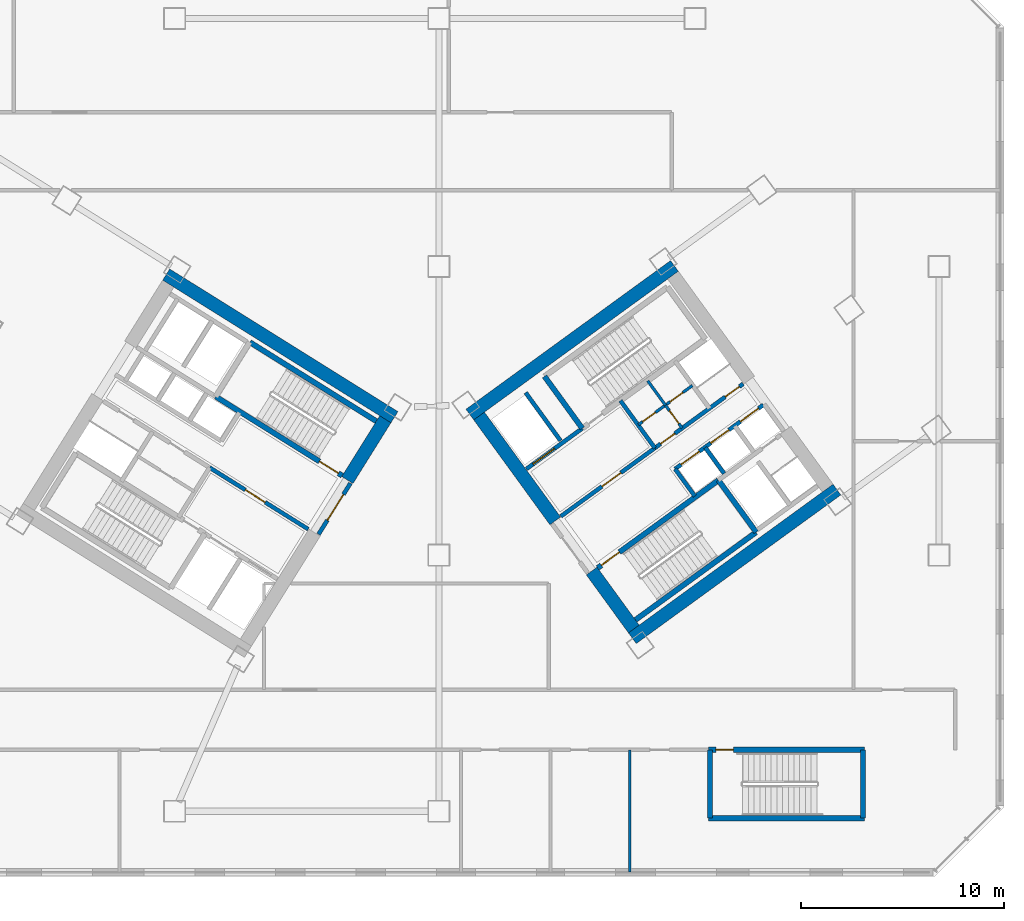
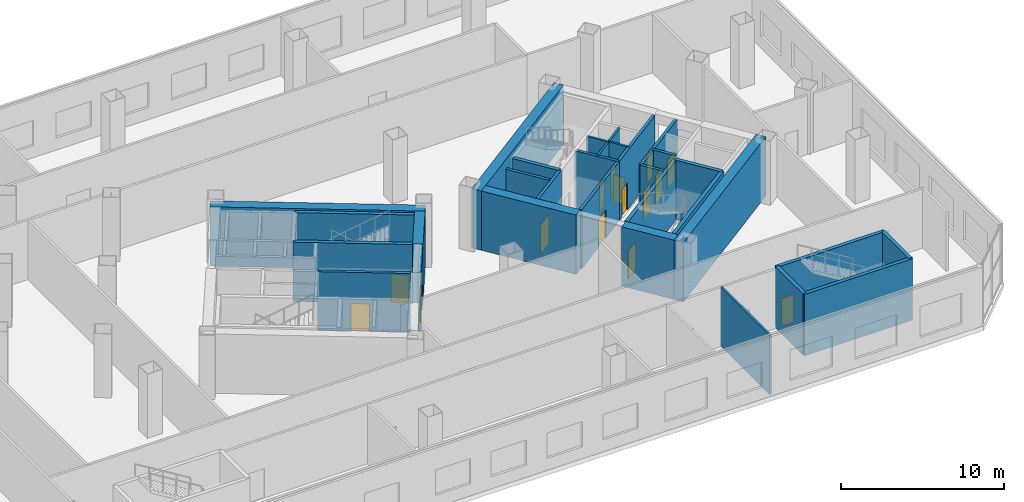
# One storey, part 12 of 22: 30 walls, 15 doors, 15 openings.
"""IFC4 building model written with IfcOpenShell, lengths in metres."""

from ifc_helpers import new_model, si_unit, direction, frame, frame_2d, origin, place, context, subcontext, project, spatial, rectangle, extrude, source, transform, mapped, material, layer, layer_set, type_object, element, fill, save


model = new_model("IFC4")

# Units and contexts
model_context = context("Model", 3, precision=1e-05, world=origin(), true_north=direction((0.0, 1.0)))
body_context = subcontext(model_context, "Body", "Model", "MODEL_VIEW")
ifc_project = project(units=[si_unit("LENGTHUNIT", "METRE"), si_unit("AREAUNIT", "SQUARE_METRE"), si_unit("VOLUMEUNIT", "CUBIC_METRE"), si_unit("PLANEANGLEUNIT", "RADIAN"), si_unit("MASSUNIT", "GRAM", prefix="KILO")], contexts=[model_context])

# Site, building, storey
site_placement = place(None, origin())
site = spatial("IfcSite", under=ifc_project, at=site_placement, CompositionType="ELEMENT")
building_placement = place(site_placement, origin())
building = spatial("IfcBuilding", under=site, at=building_placement, Name="Tlacorven Tower", CompositionType="ELEMENT")
storey_placement = place(building_placement, frame((0.0, 0.0, 5.39990234375)))
storey = spatial("IfcBuildingStorey", under=building, at=storey_placement, Name="L01", CompositionType="ELEMENT", Elevation=5.39990234375)

# Walls
ifc_material_1 = material(Name="Concrete C60/75", Category="concrete")
ifc_layer_1 = layer(ifc_material_1, 0.64990234375)
ifc_layer_set_1 = layer_set([ifc_layer_1], Name="Concrete C60/75")
wall_type_1 = type_object("IfcWallType", Name="WL-COR-650", PredefinedType="SHEAR", material=ifc_layer_set_1)
wall_1_placement = place(storey_placement, frame((40.615478515625, 23.9833984375, 0.0), z_axis=(0.0, 0.0, 1.0), x_axis=(-0.848045953968, 0.529922692436, 0.0)))
element("IfcWall", 1, at=wall_1_placement, inside=storey, type_object=wall_type_1, Name="L01 W core shear wall S1", PredefinedType="SHEAR", context=body_context, shape_type="SweptSolid", body=[
    extrude(rectangle(XDim=13.239990234375, YDim=0.64990234375, at=frame_2d((6.6201171875, 0.0))), origin(), (0.0, 0.0, 1.0), 4.4501953125),
])
wall_2_placement = place(storey_placement, frame((40.167724609375, 23.880126953125, 0.0), z_axis=(0.0, 0.0, 1.0), x_axis=(-0.529893103397, -0.8480644427, 0.0)))
element("IfcWall", 2, at=wall_2_placement, inside=storey, type_object=wall_type_1, Name="L01 W core end wall E1.1", PredefinedType="SHEAR", context=body_context, shape_type="SweptSolid", body=[
    extrude(rectangle(XDim=3.525146484375, YDim=0.64990234375, at=frame_2d((1.7626953125, 0.0))), origin(), (0.0, 0.0, 1.0), 4.4501953125),
])
wall_3_placement = place(storey_placement, frame((52.318359375, 13.1103515625, 0.0), z_axis=(0.0, 0.0, 1.0), x_axis=(0.809019445368, 0.587781878776, 0.0)))
element("IfcWall", 3, at=wall_3_placement, inside=storey, type_object=wall_type_1, Name="L01 E core shear wall S1", PredefinedType="SHEAR", context=body_context, shape_type="SweptSolid", body=[
    extrude(rectangle(XDim=12.43994140625, YDim=0.64990234375, at=frame_2d((6.219970703125, 0.0))), origin(), (0.0, 0.0, 1.0), 4.4501953125),
])
wall_4_placement = place(storey_placement, frame((44.32470703125, 24.113037109375, 0.0), z_axis=(0.0, 0.0, 1.0), x_axis=(0.809012664862, 0.58779121131, 0.0)))
element("IfcWall", 4, at=wall_4_placement, inside=storey, type_object=wall_type_1, Name="L01 E core shear wall S2", PredefinedType="SHEAR", context=body_context, shape_type="SweptSolid", body=[
    extrude(rectangle(XDim=12.439697265625, YDim=0.64990234375, at=frame_2d((6.2197265625, 0.0))), origin(), (0.0, 0.0, 1.0), 4.4501953125),
])
wall_5_placement = place(storey_placement, frame((52.390380859375, 13.564208984375, 0.0), z_axis=(0.0, 0.0, 1.0), x_axis=(-0.58779688989, 0.809008539037, 0.0)))
element("IfcWall", 5, at=wall_5_placement, inside=storey, type_object=wall_type_1, Name="L01 E core end wall E1.1", PredefinedType="SHEAR", context=body_context, shape_type="SweptSolid", body=[
    extrude(rectangle(XDim=3.525146484375, YDim=0.64990234375, at=frame_2d((1.7626953125, 0.0))), origin(), (0.0, 0.0, 1.0), 4.4501953125),
])
wall_6_placement = place(storey_placement, frame((48.525634765625, 18.883544921875, 0.0), z_axis=(0.0, 0.0, 1.0), x_axis=(-0.58777996584, 0.809020835181, 0.0)))
element("IfcWall", 6, at=wall_6_placement, inside=storey, type_object=wall_type_1, Name="L01 E core end wall E1.2", PredefinedType="SHEAR", context=body_context, shape_type="SweptSolid", body=[
    extrude(rectangle(XDim=6.375, YDim=0.64990234375, at=frame_2d((3.1875, 0.0))), origin(), (0.0, 0.0, 1.0), 4.4501953125),
])

# Wall, opening, door
ifc_material_2 = material(Name="Moisture-resistant gypsum plumbing wall", Category="gypsum")
ifc_layer_2 = layer(ifc_material_2, 0.139892578125)
ifc_layer_set_2 = layer_set([ifc_layer_2], Name="Moisture-resistant gypsum plumbing wall")
wall_type_2 = type_object("IfcWallType", Name="WL-PLM-140", PredefinedType="PLUMBINGWALL", material=ifc_layer_set_2)
wall_7_placement = place(storey_placement, frame((54.767578125, 23.443359375, 0.0), z_axis=(0.0, 0.0, 1.0), x_axis=(-0.587736077749, 0.809052719489, 0.0)))
wall_7 = element("IfcWall", 7, at=wall_7_placement, inside=storey, type_object=wall_type_2, Name="L01 partition 52", PredefinedType="PLUMBINGWALL", context=body_context, shape_type="SweptSolid", body=[
    extrude(rectangle(XDim=1.39990234375, YDim=0.139892578125, at=frame_2d((0.699951171875, 0.0))), origin(), (0.0, 0.0, 1.0), 4.440185546875),
])
opening_1_placement = place(wall_7_placement, frame((0.280029296875, 0.0, 0.0)))
opening_1 = element("IfcOpeningElement", 8, at=opening_1_placement, cuts=wall_7, Name="Opening D22", PredefinedType="OPENING", context=body_context, shape_type="SweptSolid", body=[
    extrude(rectangle(XDim=0.780029296875, YDim=2.050048828125, at=frame_2d((0.39013671875, 1.02490234375))), frame((0.0, 0.080078125, 0.0), z_axis=(0.0, -1.0, 0.0), x_axis=(1.0, 0.0, 0.0)), (0.0, 0.0, 1.0), 0.159912109375),
])
ifc_material_3 = material(Name="Powder-coated aluminium and timber door", Category="wood")
door_type_1 = type_object("IfcDoorType", Name="DR-INT-WET-0780", OperationType="NOTDEFINED", PredefinedType="DOOR", material=ifc_material_3)
shared_shape_1 = source(origin(), body_context, "Body", "SweptSolid", [
    extrude(rectangle(XDim=0.780029296875, YDim=2.050048828125, at=frame_2d((0.39013671875, 1.02490234375))), frame((0.0, 0.02490234375, 0.0), z_axis=(0.0, -1.0, 0.0), x_axis=(1.0, 0.0, 0.0)), (0.0, 0.0, 1.0), 0.050048828125),
])
door_1_placement = place(opening_1_placement, origin())
door_1 = element("IfcDoor", 9, at=door_1_placement, inside=storey, type_object=door_type_1, Name="L01 door 019", OperationType="SINGLE_SWING_LEFT", OverallHeight=2.050048828125, OverallWidth=0.780029296875, PredefinedType="DOOR", context=body_context, shape_type="MappedRepresentation", body=[
    mapped(shared_shape_1, transform((0.0, 0.0, 0.0), scale=1.0)),
])
fill(opening_1, door_1)

# Wall
wall_8_placement = place(storey_placement, frame((53.94482421875, 24.575927734375, 0.0), z_axis=(0.0, 0.0, 1.0), x_axis=(-0.587897037186, 0.808935766095, 0.0)))
element("IfcWall", 10, at=wall_8_placement, inside=storey, type_object=wall_type_2, Name="L01 partition 53", PredefinedType="PLUMBINGWALL", context=body_context, shape_type="SweptSolid", body=[
    extrude(rectangle(XDim=1.47998046875, YDim=0.139892578125, at=frame_2d((0.739990234375, 0.0))), origin(), (0.0, 0.0, 1.0), 4.440185546875),
])

# Wall, openings, doors
wall_9_placement = place(storey_placement, frame((52.617919921875, 23.612060546875, 0.0), z_axis=(0.0, 0.0, 1.0), x_axis=(0.809009587469, 0.587795446889, 0.0)))
wall_9 = element("IfcWall", 11, at=wall_9_placement, inside=storey, type_object=wall_type_2, Name="L01 partition 54", PredefinedType="PLUMBINGWALL", context=body_context, shape_type="SweptSolid", body=[
    extrude(rectangle(XDim=3.280029296875, YDim=0.139892578125, at=frame_2d((1.64013671875, 0.0))), origin(), (0.0, 0.0, 1.0), 4.440185546875),
])
opening_2_placement = place(wall_9_placement, frame((0.25, 0.0, 0.0)))
opening_2 = element("IfcOpeningElement", 12, at=opening_2_placement, cuts=wall_9, Name="Opening D22", PredefinedType="OPENING", context=body_context, shape_type="SweptSolid", body=[
    extrude(rectangle(XDim=0.780029296875, YDim=2.050048828125, at=frame_2d((0.39013671875, 1.02490234375))), frame((0.0, 0.080078125, 0.0), z_axis=(0.0, -1.0, 0.0), x_axis=(1.0, 0.0, 0.0)), (0.0, 0.0, 1.0), 0.159912109375),
])
opening_3_placement = place(wall_9_placement, frame((1.919921875, 0.0, 0.0)))
opening_3 = element("IfcOpeningElement", 13, at=opening_3_placement, cuts=wall_9, Name="Opening D22", PredefinedType="OPENING", context=body_context, shape_type="SweptSolid", body=[
    extrude(rectangle(XDim=0.780029296875, YDim=2.050048828125, at=frame_2d((0.39013671875, 1.02490234375))), frame((0.0, 0.080078125, 0.0), z_axis=(0.0, -1.0, 0.0), x_axis=(1.0, 0.0, 0.0)), (0.0, 0.0, 1.0), 0.159912109375),
])
door_2_placement = place(opening_2_placement, origin())
door_2 = element("IfcDoor", 14, at=door_2_placement, inside=storey, type_object=door_type_1, Name="L01 door 020", OperationType="SINGLE_SWING_RIGHT", OverallHeight=2.050048828125, OverallWidth=0.780029296875, PredefinedType="DOOR", context=body_context, shape_type="MappedRepresentation", body=[
    mapped(shared_shape_1, transform((0.0, 0.0, 0.0), scale=1.0)),
])
fill(opening_2, door_2)
door_3_placement = place(opening_3_placement, origin())
door_3 = element("IfcDoor", 15, at=door_3_placement, inside=storey, type_object=door_type_1, Name="L01 door 021", OperationType="SINGLE_SWING_LEFT", OverallHeight=2.050048828125, OverallWidth=0.780029296875, PredefinedType="DOOR", context=body_context, shape_type="MappedRepresentation", body=[
    mapped(shared_shape_1, transform((0.0, 0.0, 0.0), scale=1.0)),
])
fill(opening_3, door_3)

# Wall
wall_10_placement = place(storey_placement, frame((52.18994140625, 1.60009765625, 0.0), z_axis=(0.0, 0.0, 1.0), x_axis=(0.0, 1.0, 0.0)))
element("IfcWall", 16, at=wall_10_placement, inside=storey, type_object=wall_type_2, Name="L01 partition 73", PredefinedType="PLUMBINGWALL", context=body_context, shape_type="SweptSolid", body=[
    extrude(rectangle(XDim=6.02001953125, YDim=0.139892578125, at=frame_2d((3.010009765625, 0.0))), origin(), (0.0, 0.0, 1.0), 4.440185546875),
])

# Wall, opening, door
ifc_material_4 = material(Name="Concrete C40/50", Category="concrete")
ifc_layer_3 = layer(ifc_material_4, 0.199951171875)
ifc_layer_set_3 = layer_set([ifc_layer_3], Name="Concrete C40/50")
wall_type_3 = type_object("IfcWallType", Name="WL-SHF-200", PredefinedType="STANDARD", material=ifc_layer_set_3)
wall_11_placement = place(storey_placement, frame((36.374267578125, 18.4736328125, 0.0), z_axis=(0.0, 0.0, 1.0), x_axis=(-0.848051071577, 0.529914502535, 0.0)))
wall_11 = element("IfcWall", 17, at=wall_11_placement, inside=storey, type_object=wall_type_3, Name="L01 Core W Smoke Lobby Wall", PredefinedType="STANDARD", context=body_context, shape_type="SweptSolid", body=[
    extrude(rectangle(XDim=5.718017578125, YDim=0.199951171875, at=frame_2d((2.85888671875, 0.0))), origin(), (0.0, 0.0, 1.0), 4.440185546875),
])
opening_4_placement = place(wall_11_placement, frame((2.498046875, 0.0, 0.0)))
opening_4 = element("IfcOpeningElement", 18, at=opening_4_placement, cuts=wall_11, Name="Opening D09", PredefinedType="OPENING", context=body_context, shape_type="SweptSolid", body=[
    extrude(rectangle(XDim=1.14990234375, YDim=2.10009765625, at=frame_2d((0.574951171875, 1.050048828125))), frame((0.0, 0.10986328125, 0.0), z_axis=(0.0, -1.0, 0.0), x_axis=(1.0, 0.0, 0.0)), (0.0, 0.0, 1.0), 0.219970703125),
])
ifc_material_5 = material(Name="Fire-rated steel door assembly", Category="steel")
door_type_2 = type_object("IfcDoorType", Name="DR-FFL-FD60-1150", OperationType="NOTDEFINED", PredefinedType="DOOR", material=ifc_material_5)
shared_shape_2 = source(origin(), body_context, "Body", "SweptSolid", [
    extrude(rectangle(XDim=1.14990234375, YDim=2.10009765625, at=frame_2d((0.574951171875, 1.050048828125))), frame((0.0, 0.02490234375, 0.0), z_axis=(0.0, -1.0, 0.0), x_axis=(1.0, 0.0, 0.0)), (0.0, 0.0, 1.0), 0.050048828125),
])
door_4_placement = place(opening_4_placement, origin())
door_4 = element("IfcDoor", 19, at=door_4_placement, inside=storey, type_object=door_type_2, Name="L01 Firefighting Lobby W Fire Door", OperationType="SINGLE_SWING_LEFT", OverallHeight=2.10009765625, OverallWidth=1.14990234375, PredefinedType="DOOR", context=body_context, shape_type="MappedRepresentation", body=[
    mapped(shared_shape_2, transform((0.0, 0.0, 0.0), scale=1.0)),
])
fill(opening_4, door_4)

wall_12_placement = place(storey_placement, frame((47.10595703125, 21.4365234375, 0.0), z_axis=(0.0, 0.0, 1.0), x_axis=(0.809012514015, 0.58779141893, 0.0)))
wall_12 = element("IfcWall", 20, at=wall_12_placement, inside=storey, type_object=wall_type_3, Name="L01 Core E Firefighting Lift Shaft Front Wall", PredefinedType="STANDARD", context=body_context, shape_type="SweptSolid", body=[
    extrude(rectangle(XDim=3.39794921875, YDim=0.199951171875, at=frame_2d((1.698974609375, 0.0))), origin(), (0.0, 0.0, 1.0), 4.440185546875),
])
opening_5_placement = place(wall_12_placement, frame((0.407958984375, 0.0, 0.0)))
opening_5 = element("IfcOpeningElement", 21, at=opening_5_placement, cuts=wall_12, Name="Opening LD03", PredefinedType="OPENING", context=body_context, shape_type="SweptSolid", body=[
    extrude(rectangle(XDim=1.300048828125, YDim=2.199951171875, at=frame_2d((0.64990234375, 1.10009765625))), frame((0.0, 0.10986328125, 0.0), z_axis=(0.0, -1.0, 0.0), x_axis=(1.0, 0.0, 0.0)), (0.0, 0.0, 1.0), 0.219970703125),
])
door_type_3 = type_object("IfcDoorType", Name="DR-LFT-SLID-1300", OperationType="DOUBLE_DOOR_SLIDING", PredefinedType="DOOR", material=ifc_material_5)
shared_shape_3 = source(origin(), body_context, "Body", "SweptSolid", [
    extrude(rectangle(XDim=1.300048828125, YDim=2.199951171875, at=frame_2d((0.64990234375, 1.10009765625))), frame((0.0, 0.02490234375, 0.0), z_axis=(0.0, -1.0, 0.0), x_axis=(1.0, 0.0, 0.0)), (0.0, 0.0, 1.0), 0.050048828125),
])
door_5_placement = place(opening_5_placement, origin())
door_5 = element("IfcDoor", 22, at=door_5_placement, inside=storey, type_object=door_type_3, Name="L01 Lift FFL-E1 Sliding Landing Door", OperationType="DOUBLE_DOOR_SLIDING", OverallHeight=2.199951171875, OverallWidth=1.300048828125, PredefinedType="DOOR", context=body_context, shape_type="MappedRepresentation", body=[
    mapped(shared_shape_3, transform((0.0, 0.0, 0.0), scale=1.0)),
])
fill(opening_5, door_5)

wall_13_placement = place(storey_placement, frame((48.798828125, 19.106689453125, 0.0), z_axis=(0.0, 0.0, 1.0), x_axis=(0.809012959416, 0.587790805897, 0.0)))
wall_13 = element("IfcWall", 23, at=wall_13_placement, inside=storey, type_object=wall_type_3, Name="L01 Core E Smoke Lobby Wall", PredefinedType="STANDARD", context=body_context, shape_type="SweptSolid", body=[
    extrude(rectangle(XDim=5.7177734375, YDim=0.199951171875, at=frame_2d((2.85888671875, 0.0))), origin(), (0.0, 0.0, 1.0), 4.440185546875),
])
opening_6_placement = place(wall_13_placement, frame((2.498046875, 0.0, 0.0)))
opening_6 = element("IfcOpeningElement", 24, at=opening_6_placement, cuts=wall_13, Name="Opening D09", PredefinedType="OPENING", context=body_context, shape_type="SweptSolid", body=[
    extrude(rectangle(XDim=1.14990234375, YDim=2.10009765625, at=frame_2d((0.574951171875, 1.050048828125))), frame((0.0, 0.10986328125, 0.0), z_axis=(0.0, -1.0, 0.0), x_axis=(1.0, 0.0, 0.0)), (0.0, 0.0, 1.0), 0.219970703125),
])
door_6_placement = place(opening_6_placement, origin())
door_6 = element("IfcDoor", 25, at=door_6_placement, inside=storey, type_object=door_type_2, Name="L01 Firefighting Lobby E Fire Door", OperationType="SINGLE_SWING_LEFT", OverallHeight=2.10009765625, OverallWidth=1.14990234375, PredefinedType="DOOR", context=body_context, shape_type="MappedRepresentation", body=[
    mapped(shared_shape_2, transform((0.0, 0.0, 0.0), scale=1.0)),
])
fill(opening_6, door_6)

# Wall, openings, doors
wall_14_placement = place(storey_placement, frame((54.421142578125, 21.436279296875, 0.0), z_axis=(0.0, 0.0, 1.0), x_axis=(0.809013710463, 0.587789772183, 0.0)))
wall_14 = element("IfcWall", 26, at=wall_14_placement, inside=storey, type_object=wall_type_3, Name="L01 partition 37", PredefinedType="STANDARD", context=body_context, shape_type="SweptSolid", body=[
    extrude(rectangle(XDim=5.360107421875, YDim=0.199951171875, at=frame_2d((2.68017578125, 0.0))), origin(), (0.0, 0.0, 1.0), 4.440185546875),
])
opening_7_placement = place(wall_14_placement, frame((0.3701171875, 0.0, 0.0)))
opening_7 = element("IfcOpeningElement", 27, at=opening_7_placement, cuts=wall_14, Name="Opening LD01", PredefinedType="OPENING", context=body_context, shape_type="SweptSolid", body=[
    extrude(rectangle(XDim=1.10009765625, YDim=2.14990234375, at=frame_2d((0.550048828125, 1.074951171875))), frame((0.0, 0.10986328125, 0.0), z_axis=(0.0, -1.0, 0.0), x_axis=(1.0, 0.0, 0.0)), (0.0, 0.0, 1.0), 0.219970703125),
])
opening_8_placement = place(wall_14_placement, frame((2.169921875, 0.0, 0.0)))
opening_8 = element("IfcOpeningElement", 28, at=opening_8_placement, cuts=wall_14, Name="Opening LD01", PredefinedType="OPENING", context=body_context, shape_type="SweptSolid", body=[
    extrude(rectangle(XDim=1.10009765625, YDim=2.14990234375, at=frame_2d((0.550048828125, 1.074951171875))), frame((0.0, 0.10986328125, 0.0), z_axis=(0.0, -1.0, 0.0), x_axis=(1.0, 0.0, 0.0)), (0.0, 0.0, 1.0), 0.219970703125),
])
opening_9_placement = place(wall_14_placement, frame((3.969970703125, 0.0, 0.0)))
opening_9 = element("IfcOpeningElement", 29, at=opening_9_placement, cuts=wall_14, Name="Opening LD01", PredefinedType="OPENING", context=body_context, shape_type="SweptSolid", body=[
    extrude(rectangle(XDim=1.10009765625, YDim=2.14990234375, at=frame_2d((0.550048828125, 1.074951171875))), frame((0.0, 0.10986328125, 0.0), z_axis=(0.0, -1.0, 0.0), x_axis=(1.0, 0.0, 0.0)), (0.0, 0.0, 1.0), 0.219970703125),
])
door_type_4 = type_object("IfcDoorType", Name="DR-LFT-SLID-1100", OperationType="DOUBLE_DOOR_SLIDING", PredefinedType="DOOR", material=ifc_material_5)
shared_shape_4 = source(origin(), body_context, "Body", "SweptSolid", [
    extrude(rectangle(XDim=1.10009765625, YDim=2.14990234375, at=frame_2d((0.550048828125, 1.074951171875))), frame((0.0, 0.02490234375, 0.0), z_axis=(0.0, -1.0, 0.0), x_axis=(1.0, 0.0, 0.0)), (0.0, 0.0, 1.0), 0.050048828125),
])
door_7_placement = place(opening_7_placement, origin())
door_7 = element("IfcDoor", 30, at=door_7_placement, inside=storey, type_object=door_type_4, Name="L01 Lift PL-L1 Sliding Landing Door", OperationType="DOUBLE_DOOR_SLIDING", OverallHeight=2.14990234375, OverallWidth=1.10009765625, PredefinedType="DOOR", context=body_context, shape_type="MappedRepresentation", body=[
    mapped(shared_shape_4, transform((0.0, 0.0, 0.0), scale=1.0)),
])
fill(opening_7, door_7)
door_8_placement = place(opening_8_placement, origin())
door_8 = element("IfcDoor", 31, at=door_8_placement, inside=storey, type_object=door_type_4, Name="L01 Lift PL-L2 Sliding Landing Door", OperationType="DOUBLE_DOOR_SLIDING", OverallHeight=2.14990234375, OverallWidth=1.10009765625, PredefinedType="DOOR", context=body_context, shape_type="MappedRepresentation", body=[
    mapped(shared_shape_4, transform((0.0, 0.0, 0.0), scale=1.0)),
])
fill(opening_8, door_8)
door_9_placement = place(opening_9_placement, origin())
door_9 = element("IfcDoor", 32, at=door_9_placement, inside=storey, type_object=door_type_4, Name="L01 Lift PL-L3 Sliding Landing Door", OperationType="DOUBLE_DOOR_SLIDING", OverallHeight=2.14990234375, OverallWidth=1.10009765625, PredefinedType="DOOR", context=body_context, shape_type="MappedRepresentation", body=[
    mapped(shared_shape_4, transform((0.0, 0.0, 0.0), scale=1.0)),
])
fill(opening_9, door_9)

# Walls
wall_15_placement = place(storey_placement, frame((55.390869140625, 20.1015625, 0.0), z_axis=(0.0, 0.0, 1.0), x_axis=(-0.58778447739, 0.809017557374, 0.0)))
element("IfcWall", 33, at=wall_15_placement, inside=storey, type_object=wall_type_3, Name="L01 partition 38", PredefinedType="STANDARD", context=body_context, shape_type="SweptSolid", body=[
    extrude(rectangle(XDim=1.64990234375, YDim=0.199951171875, at=frame_2d((0.824951171875, 0.0))), origin(), (0.0, 0.0, 1.0), 4.440185546875),
])
wall_16_placement = place(storey_placement, frame((48.78564453125, 22.830078125, 0.0), z_axis=(0.0, 0.0, 1.0), x_axis=(-0.587783856777, 0.809018008275, 0.0)))
element("IfcWall", 34, at=wall_16_placement, inside=storey, type_object=wall_type_3, Name="L01 partition 39", PredefinedType="STANDARD", context=body_context, shape_type="SweptSolid", body=[
    extrude(rectangle(XDim=2.919921875, YDim=0.199951171875, at=frame_2d((1.4599609375, 0.0))), origin(), (0.0, 0.0, 1.0), 4.440185546875),
])
wall_17_placement = place(storey_placement, frame((56.833984375, 21.211669921875, 0.0), z_axis=(0.0, 0.0, 1.0), x_axis=(-0.58776738483, 0.809029975545, 0.0)))
element("IfcWall", 35, at=wall_17_placement, inside=storey, type_object=wall_type_3, Name="L01 partition 40", PredefinedType="STANDARD", context=body_context, shape_type="SweptSolid", body=[
    extrude(rectangle(XDim=1.580078125, YDim=0.199951171875, at=frame_2d((0.7900390625, 0.0))), origin(), (0.0, 0.0, 1.0), 4.440185546875),
])
wall_18_placement = place(storey_placement, frame((53.424560546875, 22.467529296875, 0.0), z_axis=(0.0, 0.0, 1.0), x_axis=(-0.5877230039, 0.809062216821, 0.0)))
element("IfcWall", 36, at=wall_18_placement, inside=storey, type_object=wall_type_3, Name="L01 partition 47", PredefinedType="STANDARD", context=body_context, shape_type="SweptSolid", body=[
    extrude(rectangle(XDim=2.8798828125, YDim=0.199951171875, at=frame_2d((1.43994140625, 0.0))), origin(), (0.0, 0.0, 1.0), 4.440185546875),
])

# Wall, openings, doors
wall_19_placement = place(storey_placement, frame((53.424560546875, 22.467529296875, 0.0), z_axis=(0.0, 0.0, 1.0), x_axis=(0.80902705128, 0.587771409902, 0.0)))
wall_19 = element("IfcWall", 37, at=wall_19_placement, inside=storey, type_object=wall_type_3, Name="L01 Core E North Service Wall", PredefinedType="STANDARD", context=body_context, shape_type="SweptSolid", body=[
    extrude(rectangle(XDim=5.3681640625, YDim=0.199951171875, at=frame_2d((2.68408203125, 0.0))), origin(), (0.0, 0.0, 1.0), 4.440185546875),
])
opening_10_placement = place(wall_19_placement, frame((4.280029296875, 0.0, 0.0)))
opening_10 = element("IfcOpeningElement", 38, at=opening_10_placement, cuts=wall_19, Name="Opening D19", PredefinedType="OPENING", context=body_context, shape_type="SweptSolid", body=[
    extrude(rectangle(XDim=0.860107421875, YDim=2.050048828125, at=frame_2d((0.43017578125, 1.02490234375))), frame((0.0, 0.10986328125, 0.0), z_axis=(0.0, -1.0, 0.0), x_axis=(1.0, 0.0, 0.0)), (0.0, 0.0, 1.0), 0.219970703125),
])
opening_11_placement = place(wall_19_placement, frame((0.35009765625, 0.0, 0.0)))
opening_11 = element("IfcOpeningElement", 39, at=opening_11_placement, cuts=wall_19, Name="Opening D19", PredefinedType="OPENING", context=body_context, shape_type="SweptSolid", body=[
    extrude(rectangle(XDim=0.860107421875, YDim=2.050048828125, at=frame_2d((0.43017578125, 1.02490234375))), frame((0.0, 0.10986328125, 0.0), z_axis=(0.0, -1.0, 0.0), x_axis=(1.0, 0.0, 0.0)), (0.0, 0.0, 1.0), 0.219970703125),
])
door_type_5 = type_object("IfcDoorType", Name="DR-RSR-FD60-0860", OperationType="NOTDEFINED", PredefinedType="DOOR", material=ifc_material_5)
shared_shape_5 = source(origin(), body_context, "Body", "SweptSolid", [
    extrude(rectangle(XDim=0.860107421875, YDim=2.050048828125, at=frame_2d((0.43017578125, 1.02490234375))), frame((0.0, 0.02490234375, 0.0), z_axis=(0.0, -1.0, 0.0), x_axis=(1.0, 0.0, 0.0)), (0.0, 0.0, 1.0), 0.050048828125),
])
door_10_placement = place(opening_10_placement, frame((0.860107421875, 0.0, 0.0), z_axis=(0.0, 0.0, 1.0), x_axis=(-1.0, 0.0, 0.0)))
door_10 = element("IfcDoor", 40, at=door_10_placement, inside=storey, type_object=door_type_5, Name="L01 Electrical Riser Access Door E", OperationType="SINGLE_SWING_LEFT", OverallHeight=2.050048828125, OverallWidth=0.860107421875, PredefinedType="DOOR", context=body_context, shape_type="MappedRepresentation", body=[
    mapped(shared_shape_5, transform((0.0, 0.0, 0.0), scale=1.0)),
])
fill(opening_10, door_10)
door_11_placement = place(opening_11_placement, frame((0.860107421875, 0.0, 0.0), z_axis=(0.0, 0.0, 1.0), x_axis=(-1.0, 0.0, 0.0)))
door_11 = element("IfcDoor", 41, at=door_11_placement, inside=storey, type_object=door_type_5, Name="L01 Cleaning Room Access Door E", OperationType="SINGLE_SWING_RIGHT", OverallHeight=2.050048828125, OverallWidth=0.860107421875, PredefinedType="DOOR", context=body_context, shape_type="MappedRepresentation", body=[
    mapped(shared_shape_5, transform((0.0, 0.0, 0.0), scale=1.0)),
])
fill(opening_11, door_11)

# Wall, opening, door
wall_20_placement = place(storey_placement, frame((38.451416015625, 20.737060546875, 0.0), z_axis=(0.0, 0.0, 1.0), x_axis=(-0.529924799939, -0.848044637038, 0.0)))
wall_20 = element("IfcWall", 42, at=wall_20_placement, inside=storey, type_object=wall_type_3, Name="L01 partition 63", PredefinedType="STANDARD", context=body_context, shape_type="SweptSolid", body=[
    extrude(rectangle(XDim=2.9599609375, YDim=0.199951171875, at=frame_2d((1.47998046875, 0.0))), origin(), (0.0, 0.0, 1.0), 4.440185546875),
])
opening_12_placement = place(wall_20_placement, frame((0.64990234375, 0.0, 0.0)))
opening_12 = element("IfcOpeningElement", 43, at=opening_12_placement, cuts=wall_20, Name="Opening D10", PredefinedType="OPENING", context=body_context, shape_type="SweptSolid", body=[
    extrude(rectangle(XDim=1.5, YDim=2.14990234375, at=frame_2d((0.75, 1.074951171875))), frame((0.0, 0.10986328125, 0.0), z_axis=(0.0, -1.0, 0.0), x_axis=(1.0, 0.0, 0.0)), (0.0, 0.0, 1.0), 0.219970703125),
])
door_type_6 = type_object("IfcDoorType", Name="DR-LOB-FD60-1500", OperationType="DOUBLE_DOOR_SINGLE_SWING", PredefinedType="DOOR", material=ifc_material_5)
shared_shape_6 = source(origin(), body_context, "Body", "SweptSolid", [
    extrude(rectangle(XDim=1.5, YDim=2.14990234375, at=frame_2d((0.75, 1.074951171875))), frame((0.0, 0.02490234375, 0.0), z_axis=(0.0, -1.0, 0.0), x_axis=(1.0, 0.0, 0.0)), (0.0, 0.0, 1.0), 0.050048828125),
])
door_12_placement = place(opening_12_placement, frame((1.5, 0.0, 0.0), z_axis=(0.0, 0.0, 1.0), x_axis=(-1.0, 0.0, 0.0)))
door_12 = element("IfcDoor", 44, at=door_12_placement, inside=storey, type_object=door_type_6, Name="L01 door 025", OperationType="DOUBLE_DOOR_SINGLE_SWING", OverallHeight=2.14990234375, OverallWidth=1.5, PredefinedType="DOOR", context=body_context, shape_type="MappedRepresentation", body=[
    mapped(shared_shape_6, transform((0.0, 0.0, 0.0), scale=1.0)),
])
fill(opening_12, door_12)

# Wall
ifc_material_6 = material(Name="Concrete C50/60", Category="concrete")
ifc_layer_4 = layer(ifc_material_6, 0.260009765625)
ifc_layer_set_4 = layer_set([ifc_layer_4], Name="Concrete C50/60")
wall_type_4 = type_object("IfcWallType", Name="WL-STW-260", PredefinedType="SHEAR", material=ifc_layer_set_4)
wall_21_placement = place(storey_placement, frame((39.720947265625, 23.787841796875, 0.0), z_axis=(0.0, 0.0, 1.0), x_axis=(-0.848054434086, 0.529909121291, 0.0)))
element("IfcWall", 45, at=wall_21_placement, inside=storey, type_object=wall_type_4, Name="L01 Stair W2 Far Shear Wall", PredefinedType="SHEAR", context=body_context, shape_type="SweptSolid", body=[
    extrude(rectangle(XDim=7.330078125, YDim=0.260009765625, at=frame_2d((3.6650390625, 0.0))), origin(), (0.0, 0.0, 1.0), 4.4501953125),
])

# Wall, opening, door
wall_22_placement = place(storey_placement, frame((38.04638671875, 21.10791015625, 0.0), z_axis=(0.0, 0.0, 1.0), x_axis=(-0.848054434086, 0.529909121291, 0.0)))
wall_22 = element("IfcWall", 46, at=wall_22_placement, inside=storey, type_object=wall_type_4, Name="L01 Stair W2 Lobby Shear Wall", PredefinedType="SHEAR", context=body_context, shape_type="SweptSolid", body=[
    extrude(rectangle(XDim=7.330078125, YDim=0.260009765625, at=frame_2d((3.6650390625, 0.0))), origin(), (0.0, 0.0, 1.0), 4.4501953125),
])
opening_13_placement = place(wall_22_placement, frame((0.219970703125, 0.0, 0.0)))
opening_13 = element("IfcOpeningElement", 47, at=opening_13_placement, cuts=wall_22, Name="Opening D07", PredefinedType="OPENING", context=body_context, shape_type="SweptSolid", body=[
    extrude(rectangle(XDim=1.10009765625, YDim=2.10009765625, at=frame_2d((0.550048828125, 1.050048828125))), frame((0.0, 0.14013671875, 0.0), z_axis=(0.0, -1.0, 0.0), x_axis=(1.0, 0.0, 0.0)), (0.0, 0.0, 1.0), 0.280029296875),
])
door_type_7 = type_object("IfcDoorType", Name="DR-STR-FD90-1100", OperationType="NOTDEFINED", PredefinedType="DOOR", material=ifc_material_5)
shared_shape_7 = source(origin(), body_context, "Body", "SweptSolid", [
    extrude(rectangle(XDim=1.10009765625, YDim=2.10009765625, at=frame_2d((0.550048828125, 1.050048828125))), frame((0.0, 0.02490234375, 0.0), z_axis=(0.0, -1.0, 0.0), x_axis=(1.0, 0.0, 0.0)), (0.0, 0.0, 1.0), 0.050048828125),
])
door_13_placement = place(opening_13_placement, origin())
door_13 = element("IfcDoor", 48, at=door_13_placement, inside=storey, type_object=door_type_7, Name="L01 Exit Stair W2 Fire Door", OperationType="SINGLE_SWING_RIGHT", OverallHeight=2.10009765625, OverallWidth=1.10009765625, PredefinedType="DOOR", context=body_context, shape_type="MappedRepresentation", body=[
    mapped(shared_shape_7, transform((0.0, 0.0, 0.0), scale=1.0)),
])
fill(opening_13, door_13)

# Walls
wall_23_placement = place(storey_placement, frame((49.85498046875, 23.433837890625, 0.0), z_axis=(0.0, 0.0, 1.0), x_axis=(-0.58776738483, 0.809029975545, 0.0)))
element("IfcWall", 49, at=wall_23_placement, inside=storey, type_object=wall_type_4, Name="L01 Stair E1 West Shear Wall", PredefinedType="SHEAR", context=body_context, shape_type="SweptSolid", body=[
    extrude(rectangle(XDim=3.16015625, YDim=0.260009765625, at=frame_2d((1.580078125, 0.0))), origin(), (0.0, 0.0, 1.0), 4.4501953125),
])
wall_24_placement = place(storey_placement, frame((52.47216796875, 14.01318359375, 0.0), z_axis=(0.0, 0.0, 1.0), x_axis=(0.809028366311, 0.587769599847, 0.0)))
element("IfcWall", 50, at=wall_24_placement, inside=storey, type_object=wall_type_4, Name="L01 Stair E2 Far Shear Wall", PredefinedType="SHEAR", context=body_context, shape_type="SweptSolid", body=[
    extrude(rectangle(XDim=7.330078125, YDim=0.260009765625, at=frame_2d((3.6650390625, 0.0))), origin(), (0.0, 0.0, 1.0), 4.4501953125),
])

# Wall, opening, door
wall_25_placement = place(storey_placement, frame((50.61474609375, 16.569580078125, 0.0), z_axis=(0.0, 0.0, 1.0), x_axis=(0.809028366311, 0.587769599847, 0.0)))
wall_25 = element("IfcWall", 51, at=wall_25_placement, inside=storey, type_object=wall_type_4, Name="L01 Stair E2 Lobby Shear Wall", PredefinedType="SHEAR", context=body_context, shape_type="SweptSolid", body=[
    extrude(rectangle(XDim=7.330078125, YDim=0.260009765625, at=frame_2d((3.6650390625, 0.0))), origin(), (0.0, 0.0, 1.0), 4.4501953125),
])
opening_14_placement = place(wall_25_placement, frame((0.219970703125, 0.0, 0.0)))
opening_14 = element("IfcOpeningElement", 52, at=opening_14_placement, cuts=wall_25, Name="Opening D07", PredefinedType="OPENING", context=body_context, shape_type="SweptSolid", body=[
    extrude(rectangle(XDim=1.10009765625, YDim=2.10009765625, at=frame_2d((0.550048828125, 1.050048828125))), frame((0.0, 0.14013671875, 0.0), z_axis=(0.0, -1.0, 0.0), x_axis=(1.0, 0.0, 0.0)), (0.0, 0.0, 1.0), 0.280029296875),
])
door_14_placement = place(opening_14_placement, origin())
door_14 = element("IfcDoor", 53, at=door_14_placement, inside=storey, type_object=door_type_7, Name="L01 Exit Stair E2 Fire Door", OperationType="SINGLE_SWING_RIGHT", OverallHeight=2.10009765625, OverallWidth=1.10009765625, PredefinedType="DOOR", context=body_context, shape_type="MappedRepresentation", body=[
    mapped(shared_shape_7, transform((0.0, 0.0, 0.0), scale=1.0)),
])
fill(opening_14, door_14)

# Wall
wall_26_placement = place(storey_placement, frame((58.410400390625, 18.327392578125, 0.0), z_axis=(0.0, 0.0, 1.0), x_axis=(-0.58776738483, 0.809029975545, 0.0)))
element("IfcWall", 54, at=wall_26_placement, inside=storey, type_object=wall_type_4, Name="L01 Stair E2 East Shear Wall", PredefinedType="SHEAR", context=body_context, shape_type="SweptSolid", body=[
    extrude(rectangle(XDim=3.16015625, YDim=0.260009765625, at=frame_2d((1.580078125, 0.0))), origin(), (0.0, 0.0, 1.0), 4.4501953125),
])

# Wall, opening, door
wall_27_placement = place(storey_placement, frame((56.070068359375, 7.6201171875, 0.0), z_axis=(0.0, 0.0, 1.0), x_axis=(1.0, 0.0, 0.0)))
wall_27 = element("IfcWall", 55, at=wall_27_placement, inside=storey, type_object=wall_type_4, Name="L01 Stair P2 North Wall", PredefinedType="SHEAR", context=body_context, shape_type="SweptSolid", body=[
    extrude(rectangle(XDim=7.659912109375, YDim=0.260009765625, at=frame_2d((3.830078125, 0.0))), origin(), (0.0, 0.0, 1.0), 4.60009765625),
])
opening_15_placement = place(wall_27_placement, frame((0.360107421875, 0.0, 0.0)))
opening_15 = element("IfcOpeningElement", 56, at=opening_15_placement, cuts=wall_27, Name="Opening D19", PredefinedType="OPENING", context=body_context, shape_type="SweptSolid", body=[
    extrude(rectangle(XDim=0.860107421875, YDim=2.050048828125, at=frame_2d((0.43017578125, 1.02490234375))), frame((0.0, 0.14013671875, 0.0), z_axis=(0.0, -1.0, 0.0), x_axis=(1.0, 0.0, 0.0)), (0.0, 0.0, 1.0), 0.280029296875),
])
door_15_placement = place(opening_15_placement, origin())
door_15 = element("IfcDoor", 57, at=door_15_placement, inside=storey, type_object=door_type_5, Name="L01 door 023", OperationType="SINGLE_SWING_LEFT", OverallHeight=2.050048828125, OverallWidth=0.860107421875, PredefinedType="DOOR", context=body_context, shape_type="MappedRepresentation", body=[
    mapped(shared_shape_5, transform((0.0, 0.0, 0.0), scale=1.0)),
])
fill(opening_15, door_15)

# Walls
wall_28_placement = place(storey_placement, frame((56.070068359375, 4.260009765625, 0.0), z_axis=(0.0, 0.0, 1.0), x_axis=(1.0, 0.0, 0.0)))
element("IfcWall", 58, at=wall_28_placement, inside=storey, type_object=wall_type_4, Name="L01 Stair P2 South Wall", PredefinedType="SHEAR", context=body_context, shape_type="SweptSolid", body=[
    extrude(rectangle(XDim=7.659912109375, YDim=0.260009765625, at=frame_2d((3.830078125, 0.0))), origin(), (0.0, 0.0, 1.0), 4.60009765625),
])
for number, where, z_axis, x_axis, name in (
    (59, (56.139892578125, 4.260009765625, 0.0), (0.0, 0.0, 1.0), (0.0, 1.0, 0.0), "L01 Stair P2 West Wall"),
    (60, (63.659912109375, 4.260009765625, 0.0), (0.0, 0.0, 1.0), (0.0, 1.0, 0.0), "L01 Stair P2 East Wall"),
):
    element("IfcWall", number, at=place(storey_placement, frame(where, z_axis=z_axis, x_axis=x_axis)), inside=storey, type_object=wall_type_4, Name=name, PredefinedType="SHEAR", context=body_context, shape_type="SweptSolid", body=[
        extrude(rectangle(XDim=3.360107421875, YDim=0.260009765625, at=frame_2d((1.68017578125, 0.0))), origin(), (0.0, 0.0, 1.0), 4.60009765625),
    ])

save(model, "model.ifc")
